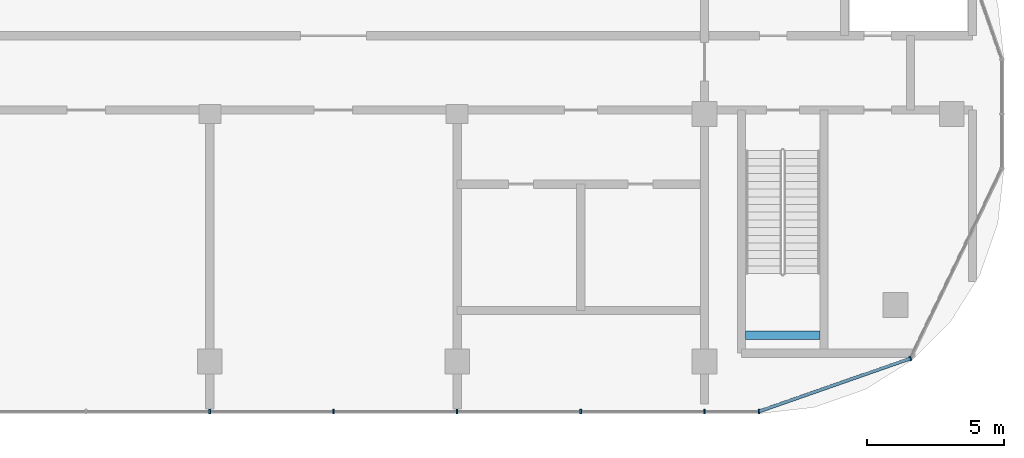
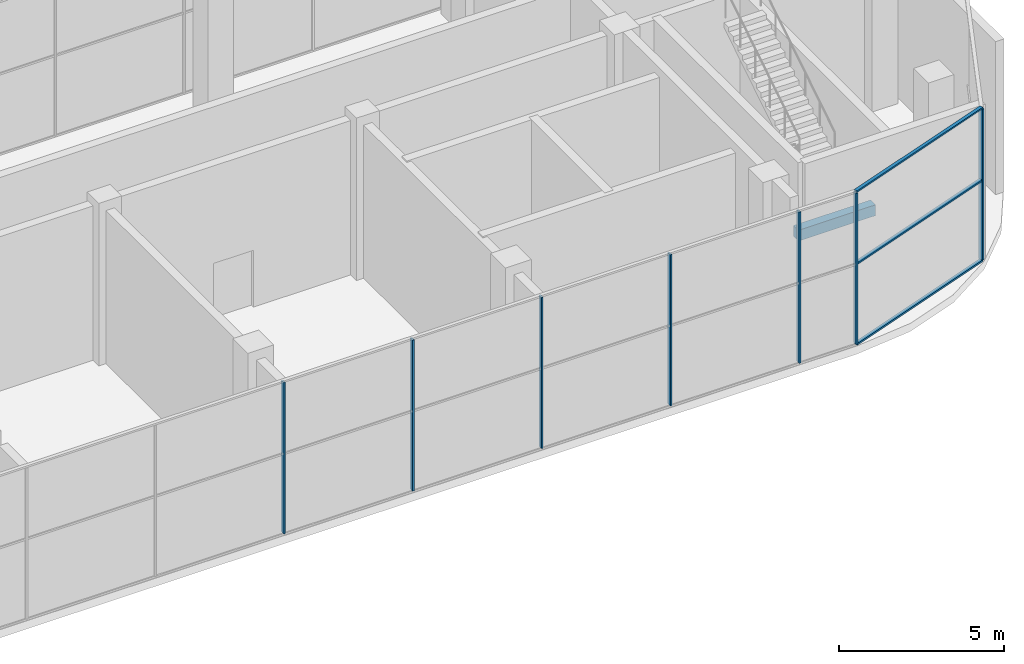
# One storey, part 7 of 19: 10 members, 1 beam, 2 elements without a shape of their own.
"""IFC4 building model written with IfcOpenShell, lengths in metres."""

import ifcopenshell
import ifcopenshell.guid

model = None  # the IFC model being written
_history = None  # IfcOwnerHistory: only IFC2X3 demands one
_inside = {}  # id of a spatial element -> (the spatial element, [elements in it])
_under = {}  # id of a project, library or spatial element -> (it, [spatial elements below it])
_declared = {}  # id of a project -> (the project, [libraries it declares])
_typed = {}  # id of a type object -> (the type object, [elements of that type])
_made_of = {}  # id of a material, layer set ... -> (it, [elements and type objects made of it])


def new_model(schema):
    """Start an empty IFC model of exactly this schema.

    Asked for "IFC4X3", IfcOpenShell would pick the latest addendum, in which some entities
    have other attributes; the version numbers below select the first issue.
    IFC2X3 requires an IfcOwnerHistory on every rooted entity: one is made here for all.
    """
    global model, _history
    if schema == "IFC4X3":
        model = ifcopenshell.file(schema_version=(4, 3, 0, 0))
    else:
        model = ifcopenshell.file(schema=schema)
    _inside.clear()
    _under.clear()
    _declared.clear()
    _typed.clear()
    _made_of.clear()
    _history = None
    if model.schema == "IFC2X3":
        org = make("IfcOrganization", Name="unknown")
        user = make(
            "IfcPersonAndOrganization",
            ThePerson=make("IfcPerson", FamilyName="unknown"),
            TheOrganization=org,
        )
        app = make(
            "IfcApplication",
            ApplicationDeveloper=org,
            Version="unknown",
            ApplicationFullName="unknown",
            ApplicationIdentifier="unknown",
        )
        _history = make(
            "IfcOwnerHistory",
            OwningUser=user,
            OwningApplication=app,
            ChangeAction="ADDED",
            CreationDate=0,
        )
    return model


def make(cls, **values):
    """One entity of the class cls with the attributes given. An attribute that is None is left unset."""
    return model.create_entity(
        cls, **{name: value for name, value in values.items() if value is not None}
    )


def rooted(cls, **values):
    """An entity with a GlobalId (a new one), such as an element, a storey or a relation."""
    return make(cls, GlobalId=ifcopenshell.guid.new(), OwnerHistory=_history, **values)


def si_unit(unit_type, name, prefix=None):
    """IfcSIUnit, for example si_unit("LENGTHUNIT", "METRE", prefix="MILLI")."""
    return make("IfcSIUnit", UnitType=unit_type, Prefix=prefix, Name=name)


def assignment(units):
    """IfcUnitAssignment: the units of a project."""
    return None if units is None else make("IfcUnitAssignment", Units=units)


def point(xyz):
    """IfcCartesianPoint."""
    return None if xyz is None else make("IfcCartesianPoint", Coordinates=xyz)


def direction(xyz):
    """IfcDirection."""
    return None if xyz is None else make("IfcDirection", DirectionRatios=xyz)


def frame(location, z_axis=None, x_axis=None):
    """IfcAxis2Placement3D, a coordinate frame: its origin and axes. An axis left out is left unset."""
    return make(
        "IfcAxis2Placement3D",
        Location=point(location),
        Axis=direction(z_axis),
        RefDirection=direction(x_axis),
    )


def frame_2d(location, x_axis=None):
    """IfcAxis2Placement2D, a coordinate frame in the plane: its origin and x axis."""
    return make(
        "IfcAxis2Placement2D", Location=point(location), RefDirection=direction(x_axis)
    )


def origin():
    """The frame at (0, 0, 0) with its axes left unset."""
    return frame((0.0, 0.0, 0.0))


def origin_2d():
    """The frame at (0, 0) in the plane with its x axis left unset."""
    return frame_2d((0.0, 0.0))


def place(relative_to, where):
    """IfcLocalPlacement: puts the frame where relative to a parent placement (None: the world)."""
    return make(
        "IfcLocalPlacement", PlacementRelTo=relative_to, RelativePlacement=where
    )


def context(
    kind, dimensions, precision=None, world=None, true_north=None, identifier=None
):
    """IfcGeometricRepresentationContext, for example the 3D "Model" context."""
    return make(
        "IfcGeometricRepresentationContext",
        ContextIdentifier=identifier,
        ContextType=kind,
        CoordinateSpaceDimension=dimensions,
        Precision=precision,
        WorldCoordinateSystem=world,
        TrueNorth=true_north,
    )


def subcontext(parent, identifier, kind, view, scale=None):
    """IfcGeometricRepresentationSubContext, for example "Body" below "Model"."""
    return make(
        "IfcGeometricRepresentationSubContext",
        ContextIdentifier=identifier,
        ContextType=kind,
        ParentContext=parent,
        TargetScale=scale,
        TargetView=view,
    )


def project(units=None, contexts=None):
    """IfcProject with its units and contexts."""
    return rooted(
        "IfcProject",
        Name="project",
        RepresentationContexts=contexts,
        UnitsInContext=assignment(units),
    )


def spatial(cls, under=None, at=None, **own):
    """A site, building, storey or space (cls), placed at a placement, below another one or the project."""
    s = rooted(cls, ObjectPlacement=at, **own)
    if under is not None:
        _under.setdefault(under.id(), (under, []))[1].append(s)
    return s


def profile(cls, at=None, kind="AREA", **sizes):
    """A parametric profile (cls). Its sizes go by their IFC names, for example OverallWidth=200.0."""
    return make(cls, ProfileType=kind, Position=at, **sizes)


def rectangle(**sizes):
    """IfcRectangleProfileDef."""
    return profile("IfcRectangleProfileDef", **sizes)


def extrude(swept, where, along, depth):
    """IfcExtrudedAreaSolid: the profile swept, set in the frame where, extruded along a direction by depth."""
    return make(
        "IfcExtrudedAreaSolid",
        SweptArea=swept,
        Position=where,
        ExtrudedDirection=direction(along),
        Depth=depth,
    )


def shape(context_of_items, identifier, shape_type, items):
    """IfcShapeRepresentation: the items that make up one representation, for example the "Body"."""
    return make(
        "IfcShapeRepresentation",
        ContextOfItems=context_of_items,
        RepresentationIdentifier=identifier,
        RepresentationType=shape_type,
        Items=items,
    )


def material(Name=None, Category=None):
    """IfcMaterial."""
    return make("IfcMaterial", Name=Name, Category=Category)


def material_profile(
    of_material, cross_section, Name=None, Category=None, Priority=None
):
    """IfcMaterialProfile: a cross section and its material."""
    return make(
        "IfcMaterialProfile",
        Name=Name,
        Material=of_material,
        Profile=cross_section,
        Priority=Priority,
        Category=Category,
    )


def profile_set(profiles, Name=None, composite=None):
    """IfcMaterialProfileSet."""
    return make(
        "IfcMaterialProfileSet",
        Name=Name,
        MaterialProfiles=profiles,
        CompositeProfile=composite,
    )


def made_of(thing, what):
    """Note that an element or type object is made of a material, layer set ...; save() writes the relation."""
    if what is not None:
        _made_of.setdefault(what.id(), (what, []))[1].append(thing)
    return thing


def type_object(cls, material=None, **own):
    """A type object (cls), such as IfcWallType, which elements share."""
    return made_of(rooted(cls, **own), material)


def element(
    cls,
    number,
    at=None,
    inside=None,
    cuts=None,
    type_object=None,
    material=None,
    context=None,
    identifier="Body",
    shape_type=None,
    held_by="IfcProductDefinitionShape",
    body=None,
    shapes=None,
    **own,
):
    """One element of the class cls, such as IfcWall. Its Tag is "e" and its number.

    at: its placement. inside: the storey or other place that contains it. cuts: it is an
    opening in that element (IfcRelVoidsElement). A single representation is given by context,
    identifier, shape_type and body (its items); several are given by shapes. held_by: the class
    of the entity that holds the representations. save() writes the other relations.
    """
    e = rooted(cls, Tag="e%d" % number, ObjectPlacement=at, **own)
    if body is not None:
        shapes = [shape(context, identifier, shape_type, body)]
    if shapes is not None:
        e.Representation = make(held_by, Representations=shapes)
    if inside is not None:
        _inside.setdefault(inside.id(), (inside, []))[1].append(e)
    if cuts is not None:
        rooted(
            "IfcRelVoidsElement", RelatingBuildingElement=cuts, RelatedOpeningElement=e
        )
    if type_object is not None:
        _typed.setdefault(type_object.id(), (type_object, []))[1].append(e)
    return made_of(e, material)


def aggregate(whole, parts):
    """IfcRelAggregates: a whole, such as a stair, and the parts it consists of."""
    return rooted("IfcRelAggregates", RelatingObject=whole, RelatedObjects=parts)


def save(model, path):
    """Write the relations noted so far, then the file.

    IfcRelAggregates (storeys below a building ...), IfcRelContainedInSpatialStructure (elements
    in a storey), IfcRelDefinesByType, IfcRelAssociatesMaterial and IfcRelDeclares: one each for
    every whole, place, type object, material and project.
    """
    for whole, parts in _under.values():
        aggregate(whole, parts)
    for where, things in _inside.values():
        rooted(
            "IfcRelContainedInSpatialStructure",
            RelatedElements=things,
            RelatingStructure=where,
        )
    for kind, things in _typed.values():
        rooted("IfcRelDefinesByType", RelatedObjects=things, RelatingType=kind)
    for what, things in _made_of.values():
        rooted("IfcRelAssociatesMaterial", RelatedObjects=things, RelatingMaterial=what)
    for by, libraries in _declared.values():
        rooted("IfcRelDeclares", RelatingContext=by, RelatedDefinitions=libraries)
    model.write(path)


model = new_model("IFC4")

# Units and contexts
model_context = context("Model", 3, precision=1e-05, world=origin(), true_north=direction((0.0, 1.0)))
body_context = subcontext(model_context, "Body", "Model", "MODEL_VIEW")
ifc_project = project(units=[si_unit("LENGTHUNIT", "METRE"), si_unit("AREAUNIT", "SQUARE_METRE"), si_unit("VOLUMEUNIT", "CUBIC_METRE"), si_unit("PLANEANGLEUNIT", "RADIAN"), si_unit("MASSUNIT", "GRAM", prefix="KILO")], contexts=[model_context])

# Site, building, storey
site_placement = place(None, origin())
site = spatial("IfcSite", under=ifc_project, at=site_placement, CompositionType="ELEMENT")
building_placement = place(site_placement, origin())
building = spatial("IfcBuilding", under=site, at=building_placement, Name="Ogive Portal Towers", CompositionType="ELEMENT")
storey_placement = place(building_placement, frame((0.0, 0.0, 254.89990234375)))
storey = spatial("IfcBuildingStorey", under=building, at=storey_placement, Name="L63", CompositionType="ELEMENT", Elevation=254.89990234375)

# Beam
ifc_material_1 = material(Name="Concrete C40/50", Category="concrete")
ifc_material_profile_1 = material_profile(ifc_material_1, rectangle(XDim=0.300048828125, YDim=0.39990234375, at=origin_2d()), Name="RC 300x400")
ifc_profile_set_1 = profile_set([ifc_material_profile_1], Name="Concrete C40/50")
beam_type = type_object("IfcBeamType", Name="BEAM RC 300x400", PredefinedType="BEAM", material=ifc_profile_set_1)
beam_placement = place(storey_placement, frame((87.0, 22.449951171875, 2.60009765625), z_axis=(1.0, 0.0, 0.0), x_axis=(0.0, 1.0, 0.0)))
element("IfcBeam", 1, at=beam_placement, inside=storey, type_object=beam_type, Name="Landing beam L63", PredefinedType="BEAM", context=body_context, shape_type="SweptSolid", body=[
    extrude(rectangle(XDim=0.300048828125, YDim=0.39990234375, at=origin_2d()), origin(), (0.0, 0.0, 1.0), 2.699951171875),
])

# Curtain wall, members
ifc_material_2 = material(Name="Glass, clear low-iron insulated glazing", Category="glass")
curtain_wall_type = type_object("IfcCurtainWallType", Name="CW OBSERVATION WALL", PredefinedType="NOTDEFINED", material=ifc_material_2)
curtain_wall_1_placement = place(storey_placement, origin())
curtain_wall_1 = element("IfcCurtainWall", 2, at=curtain_wall_1_placement, inside=storey, type_object=curtain_wall_type, Name="A:L63:f07:cw0", PredefinedType="NOTDEFINED")
ifc_material_3 = material(Name="Aluminium 6063 anodised", Category="aluminium")
ifc_material_profile_2 = material_profile(ifc_material_3, rectangle(XDim=0.159912109375, YDim=0.06005859375, at=origin_2d()), Name="AL 60x160")
ifc_profile_set_2 = profile_set([ifc_material_profile_2], Name="Aluminium 6063 anodised")
member_type_1 = type_object("IfcMemberType", Name="CW MULLION 60x160", PredefinedType="MULLION", material=ifc_profile_set_2)
member_1_placement = place(storey_placement, frame((67.5, 19.679931640625, 0.06005859375), z_axis=(0.0, 0.0, 1.0), x_axis=(0.0, 1.0, 0.0)))
member_1 = element("IfcMember", 3, at=member_1_placement, type_object=member_type_1, Name="mullion", PredefinedType="MULLION", context=body_context, shape_type="SweptSolid", body=[
    extrude(rectangle(XDim=0.159912109375, YDim=0.06005859375, at=origin_2d()), origin(), (0.0, 0.0, 1.0), 5.580078125),
])
member_2_placement = place(storey_placement, frame((72.0, 19.679931640625, 0.06005859375), z_axis=(0.0, 0.0, 1.0), x_axis=(0.0, 1.0, 0.0)))
member_2 = element("IfcMember", 4, at=member_2_placement, type_object=member_type_1, Name="mullion", PredefinedType="MULLION", context=body_context, shape_type="SweptSolid", body=[
    extrude(rectangle(XDim=0.159912109375, YDim=0.06005859375, at=origin_2d()), origin(), (0.0, 0.0, 1.0), 5.580078125),
])
member_3_placement = place(storey_placement, frame((76.5, 19.679931640625, 0.06005859375), z_axis=(0.0, 0.0, 1.0), x_axis=(0.0, 1.0, 0.0)))
member_3 = element("IfcMember", 5, at=member_3_placement, type_object=member_type_1, Name="mullion", PredefinedType="MULLION", context=body_context, shape_type="SweptSolid", body=[
    extrude(rectangle(XDim=0.159912109375, YDim=0.06005859375, at=origin_2d()), origin(), (0.0, 0.0, 1.0), 5.580078125),
])
member_4_placement = place(storey_placement, frame((81.0, 19.679931640625, 0.06005859375), z_axis=(0.0, 0.0, 1.0), x_axis=(0.0, 1.0, 0.0)))
member_4 = element("IfcMember", 6, at=member_4_placement, type_object=member_type_1, Name="mullion", PredefinedType="MULLION", context=body_context, shape_type="SweptSolid", body=[
    extrude(rectangle(XDim=0.159912109375, YDim=0.06005859375, at=origin_2d()), origin(), (0.0, 0.0, 1.0), 5.580078125),
])
member_5_placement = place(storey_placement, frame((85.5, 19.679931640625, 0.06005859375), z_axis=(0.0, 0.0, 1.0), x_axis=(0.0, 1.0, 0.0)))
member_5 = element("IfcMember", 7, at=member_5_placement, type_object=member_type_1, Name="mullion", PredefinedType="MULLION", context=body_context, shape_type="SweptSolid", body=[
    extrude(rectangle(XDim=0.159912109375, YDim=0.06005859375, at=origin_2d()), origin(), (0.0, 0.0, 1.0), 5.580078125),
])
member_6_placement = place(storey_placement, frame((87.486328125, 19.679931640625, 0.06005859375), z_axis=(0.0, 0.0, 1.0), x_axis=(0.0, 1.0, 0.0)))
member_6 = element("IfcMember", 8, at=member_6_placement, type_object=member_type_1, Name="mullion", PredefinedType="MULLION", context=body_context, shape_type="SweptSolid", body=[
    extrude(rectangle(XDim=0.159912109375, YDim=0.06005859375, at=origin_2d()), origin(), (0.0, 0.0, 1.0), 5.580078125),
])
aggregate(curtain_wall_1, [member_1, member_2, member_3, member_4, member_5, member_6])

curtain_wall_2_placement = place(storey_placement, origin())
curtain_wall_2 = element("IfcCurtainWall", 9, at=curtain_wall_2_placement, inside=storey, type_object=curtain_wall_type, Name="A:L63:f08:cwa", PredefinedType="NOTDEFINED")
member_7_placement = place(storey_placement, frame((92.991455078125, 21.606201171875, 0.06005859375), z_axis=(0.0, 0.0, 1.0), x_axis=(-0.33027906196, 0.943883330307, 0.0)))
member_7 = element("IfcMember", 10, at=member_7_placement, type_object=member_type_1, Name="mullion", PredefinedType="MULLION", context=body_context, shape_type="SweptSolid", body=[
    extrude(rectangle(XDim=0.159912109375, YDim=0.06005859375, at=origin_2d()), origin(), (0.0, 0.0, 1.0), 5.580078125),
])
ifc_material_profile_3 = material_profile(ifc_material_3, rectangle(XDim=0.1201171875, YDim=0.06005859375, at=origin_2d()), Name="AL 120x60")
ifc_profile_set_3 = profile_set([ifc_material_profile_3], Name="Aluminium 6063 anodised")
member_type_2 = type_object("IfcMemberType", Name="CW TRANSOM 60x120", PredefinedType="USERDEFINED", material=ifc_profile_set_3)
member_8_placement = place(storey_placement, frame((87.486328125, 19.679931640625, 0.030029296875), z_axis=(0.943886414572, 0.330270247504, 0.0), x_axis=(-0.330270247504, 0.943886414572, 0.0)))
member_8 = element("IfcMember", 11, at=member_8_placement, type_object=member_type_2, Name="transom", ObjectType="TRANSOM", PredefinedType="USERDEFINED", context=body_context, shape_type="SweptSolid", body=[
    extrude(rectangle(XDim=0.1201171875, YDim=0.06005859375, at=origin_2d()), origin(), (0.0, 0.0, 1.0), 5.83251953125),
])
member_9_placement = place(storey_placement, frame((87.486328125, 19.679931640625, 3.0), z_axis=(0.943886414572, 0.330270247504, 0.0), x_axis=(-0.330270247504, 0.943886414572, 0.0)))
member_9 = element("IfcMember", 12, at=member_9_placement, type_object=member_type_2, Name="transom", ObjectType="TRANSOM", PredefinedType="USERDEFINED", context=body_context, shape_type="SweptSolid", body=[
    extrude(rectangle(XDim=0.1201171875, YDim=0.06005859375, at=origin_2d()), origin(), (0.0, 0.0, 1.0), 5.83251953125),
])
member_10_placement = place(storey_placement, frame((87.486328125, 19.679931640625, 5.670166015625), z_axis=(0.943886414572, 0.330270247504, 0.0), x_axis=(-0.330270247504, 0.943886414572, 0.0)))
member_10 = element("IfcMember", 13, at=member_10_placement, type_object=member_type_2, Name="transom", ObjectType="TRANSOM", PredefinedType="USERDEFINED", context=body_context, shape_type="SweptSolid", body=[
    extrude(rectangle(XDim=0.1201171875, YDim=0.06005859375, at=origin_2d()), origin(), (0.0, 0.0, 1.0), 5.83251953125),
])
aggregate(curtain_wall_2, [member_8, member_9, member_10, member_7])

save(model, "model.ifc")
